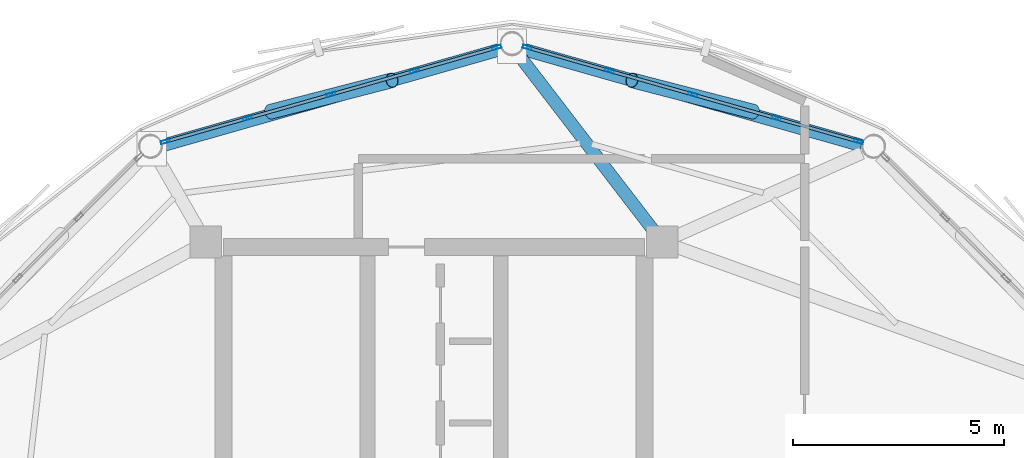
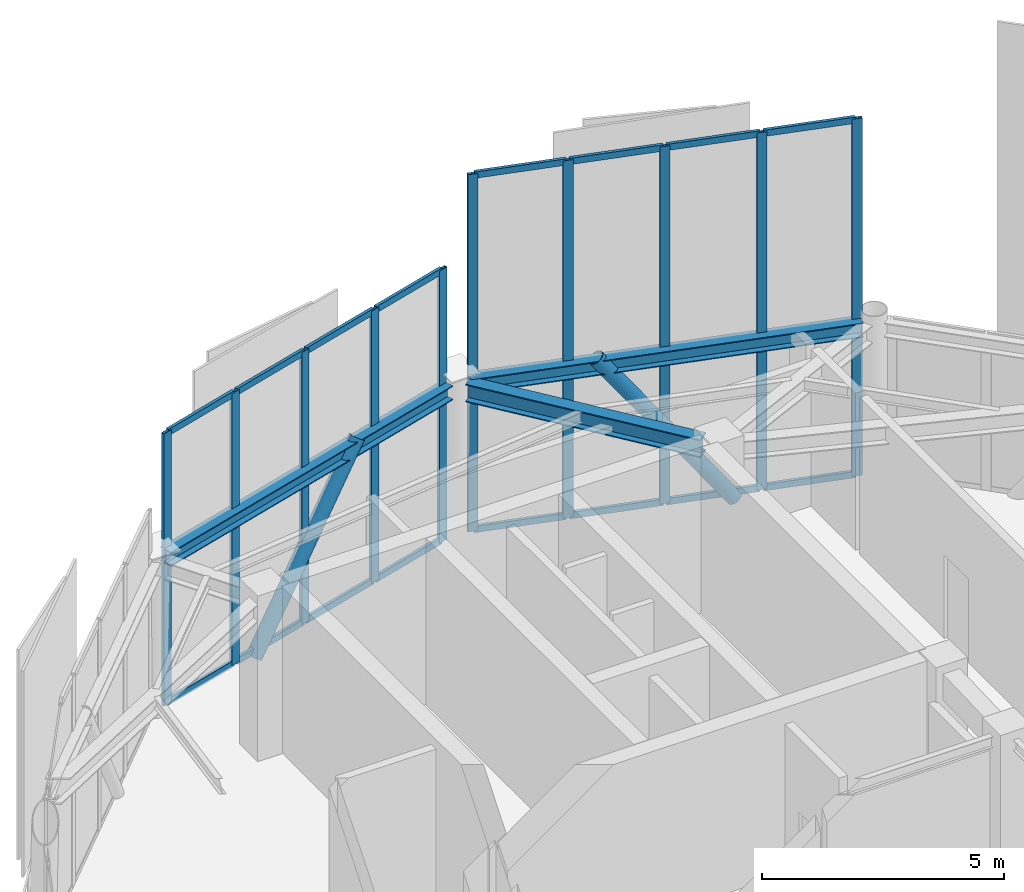
# One storey, part 13 of 20: 28 members, 3 beams, 2 elements without a shape of their own.
"""IFC4 building model written with IfcOpenShell, lengths in metres."""

from ifc_helpers import new_model, si_unit, direction, frame, origin, origin_2d, place, context, subcontext, project, spatial, hollow_rectangle, hollow_circle, i_section, extrude, material, layer, layer_set, material_profile, profile_set, type_object, element, aggregate, save


model = new_model("IFC4")

# Units and contexts
model_context = context("Model", 3, precision=1e-05, world=origin(), true_north=direction((0.0, 1.0)))
body_context = subcontext(model_context, "Body", "Model", "MODEL_VIEW")
ifc_project = project(units=[si_unit("LENGTHUNIT", "METRE"), si_unit("AREAUNIT", "SQUARE_METRE"), si_unit("VOLUMEUNIT", "CUBIC_METRE"), si_unit("PLANEANGLEUNIT", "RADIAN"), si_unit("MASSUNIT", "GRAM", prefix="KILO")], contexts=[model_context])

# Site, building, storey
site_placement = place(None, origin())
site = spatial("IfcSite", under=ifc_project, at=site_placement, CompositionType="ELEMENT")
building_placement = place(site_placement, origin())
building = spatial("IfcBuilding", under=site, at=building_placement, Name="Varnakorn Sky Granary", CompositionType="ELEMENT")
storey_placement = place(building_placement, frame((0.0, 0.0, 310.800048828125)))
storey = spatial("IfcBuildingStorey", under=building, at=storey_placement, Name="L79", CompositionType="ELEMENT", Elevation=310.800048828125)

# Beams
ifc_material_1 = material(Name="Steel S355JR", Category="steel")
ifc_material_profile_1 = material_profile(ifc_material_1, i_section(OverallWidth=0.300048828125, OverallDepth=0.449951171875, WebThickness=0.013916015625, FlangeThickness=0.02587890625, at=origin_2d()), Name="HE 450 B")
ifc_profile_set_1 = profile_set([ifc_material_profile_1], Name="Steel S355JR")
beam_type_1 = type_object("IfcBeamType", Name="BM-RAD-Z5", PredefinedType="BEAM", material=ifc_profile_set_1)
beam_1_placement = place(storey_placement, frame((8.203857421875, 12.901611328125, 3.73486328125), z_axis=(-0.608886924439, 0.793257028489, 0.0), x_axis=(-0.793257028489, -0.608886924439, 0.0)))
element("IfcBeam", 1, at=beam_1_placement, inside=storey, type_object=beam_type_1, Name="Radial Floor Girder RG04 L79", PredefinedType="BEAM", context=body_context, shape_type="SweptSolid", body=[
    extrude(i_section(OverallWidth=0.300048828125, OverallDepth=0.449951171875, WebThickness=0.013916015625, FlangeThickness=0.02587890625, at=origin_2d()), origin(), (0.0, 0.0, 1.0), 5.243896484375),
])
ifc_material_profile_2 = material_profile(ifc_material_1, i_section(OverallWidth=0.300048828125, OverallDepth=0.360107421875, WebThickness=0.012451171875, FlangeThickness=0.0224609375, at=origin_2d()), Name="HE 360 B")
ifc_profile_set_2 = profile_set([ifc_material_profile_2], Name="Steel S355JR")
beam_type_2 = type_object("IfcBeamType", Name="BM-SPD-Z5", PredefinedType="SPANDREL", material=ifc_profile_set_2)
beam_2_placement = place(storey_placement, frame((13.14599609375, 14.91259765625, 3.780029296875), z_axis=(-0.961884569947, 0.273455799168, 0.0), x_axis=(-0.273455799168, -0.961884569947, 0.0)))
element("IfcBeam", 2, at=beam_2_placement, inside=storey, type_object=beam_type_2, Name="Perimeter Spandrel Ring Beam RB03 L79", PredefinedType="SPANDREL", context=body_context, shape_type="SweptSolid", body=[
    extrude(i_section(OverallWidth=0.300048828125, OverallDepth=0.360107421875, WebThickness=0.012451171875, FlangeThickness=0.0224609375, at=origin_2d()), origin(), (0.0, 0.0, 1.0), 8.360107421875),
])
beam_3_placement = place(storey_placement, frame((4.595703125, 17.19873046875, 3.780029296875), z_axis=(-0.96188675359, -0.273448118055, 0.0), x_axis=(0.273448118055, -0.96188675359, 0.0)))
element("IfcBeam", 3, at=beam_3_placement, inside=storey, type_object=beam_type_2, Name="Perimeter Spandrel Ring Beam RB04 L79", PredefinedType="SPANDREL", context=body_context, shape_type="SweptSolid", body=[
    extrude(i_section(OverallWidth=0.300048828125, OverallDepth=0.360107421875, WebThickness=0.012451171875, FlangeThickness=0.0224609375, at=origin_2d()), origin(), (0.0, 0.0, 1.0), 8.3603515625),
])

# Curtain wall, members
ifc_material_2 = material(Name="Anodised Bronze Aluminium Alloy 6063-T6", Category="aluminium")
ifc_layer = layer(ifc_material_2, 0.22998046875, Name="Anodised Bronze Aluminium Alloy 6063-T6")
ifc_layer_set = layer_set([ifc_layer], Name="Anodised Bronze Aluminium Alloy 6063-T6")
curtain_wall_type = type_object("IfcCurtainWallType", Name="CW-LNT-1", PredefinedType="USERDEFINED", material=ifc_layer_set)
curtain_wall_1_placement = place(storey_placement, origin())
curtain_wall_1 = element("IfcCurtainWall", 4, at=curtain_wall_1_placement, inside=storey, type_object=curtain_wall_type, Name="Unitised Curtain Wall CW7 CW-L79-B03", ObjectType="CURTAIN WALL", PredefinedType="USERDEFINED")
ifc_material_profile_3 = material_profile(ifc_material_2, hollow_rectangle(XDim=0.074951171875, YDim=0.219970703125, WallThickness=0.00390625, at=origin_2d()), Name="ALU MULL 75x220")
ifc_profile_set_3 = profile_set([ifc_material_profile_3], Name="Anodised Bronze Aluminium Alloy 6063-T6")
member_type_1 = type_object("IfcMemberType", Name="CW-LNT-1-MULL", PredefinedType="MULLION", material=ifc_profile_set_3)
member_1_placement = place(storey_placement, frame((5.212646484375, 17.239990234375, 0.0), z_axis=(0.0, 0.0, 1.0), x_axis=(0.273207021896, 0.961955260491, 0.0)))
member_1 = element("IfcMember", 5, at=member_1_placement, type_object=member_type_1, Name="CW7 mullion 1", PredefinedType="MULLION", context=body_context, shape_type="SweptSolid", body=[
    extrude(hollow_rectangle(XDim=0.074951171875, YDim=0.219970703125, WallThickness=0.00390625, at=origin_2d()), origin(), (0.0, 0.0, 1.0), 9.0068359375),
])
member_2_placement = place(storey_placement, frame((7.16162109375, 16.6865234375, 0.0), z_axis=(0.0, 0.0, 1.0), x_axis=(0.273207021896, 0.961955260491, 0.0)))
member_2 = element("IfcMember", 6, at=member_2_placement, type_object=member_type_1, Name="CW7 mullion 2", PredefinedType="MULLION", context=body_context, shape_type="SweptSolid", body=[
    extrude(hollow_rectangle(XDim=0.074951171875, YDim=0.219970703125, WallThickness=0.00390625, at=origin_2d()), origin(), (0.0, 0.0, 1.0), 9.0068359375),
])
member_3_placement = place(storey_placement, frame((9.146484375, 16.122802734375, 0.0), z_axis=(0.0, 0.0, 1.0), x_axis=(0.273207021896, 0.961955260491, 0.0)))
member_3 = element("IfcMember", 7, at=member_3_placement, type_object=member_type_1, Name="CW7 mullion 3", PredefinedType="MULLION", context=body_context, shape_type="SweptSolid", body=[
    extrude(hollow_rectangle(XDim=0.074951171875, YDim=0.219970703125, WallThickness=0.00390625, at=origin_2d()), origin(), (0.0, 0.0, 1.0), 9.0068359375),
])
member_4_placement = place(storey_placement, frame((11.13134765625, 15.55908203125, 0.0), z_axis=(0.0, 0.0, 1.0), x_axis=(0.273207021896, 0.961955260491, 0.0)))
member_4 = element("IfcMember", 8, at=member_4_placement, type_object=member_type_1, Name="CW7 mullion 4", PredefinedType="MULLION", context=body_context, shape_type="SweptSolid", body=[
    extrude(hollow_rectangle(XDim=0.074951171875, YDim=0.219970703125, WallThickness=0.00390625, at=origin_2d()), origin(), (0.0, 0.0, 1.0), 9.0068359375),
])
member_5_placement = place(storey_placement, frame((13.080322265625, 15.005615234375, 0.0), z_axis=(0.0, 0.0, 1.0), x_axis=(0.273207021896, 0.961955260491, 0.0)))
member_5 = element("IfcMember", 9, at=member_5_placement, type_object=member_type_1, Name="CW7 mullion 5", PredefinedType="MULLION", context=body_context, shape_type="SweptSolid", body=[
    extrude(hollow_rectangle(XDim=0.074951171875, YDim=0.219970703125, WallThickness=0.00390625, at=origin_2d()), origin(), (0.0, 0.0, 1.0), 9.0068359375),
])

curtain_wall_2_placement = place(storey_placement, origin())
curtain_wall_2 = element("IfcCurtainWall", 10, at=curtain_wall_2_placement, inside=storey, type_object=curtain_wall_type, Name="Unitised Curtain Wall CW7 CW-L79-B04", ObjectType="CURTAIN WALL", PredefinedType="USERDEFINED")
member_6_placement = place(storey_placement, frame((-3.38037109375, 15.005615234375, 0.0), z_axis=(0.0, 0.0, 1.0), x_axis=(-0.273207021896, 0.961955260491, 0.0)))
member_6 = element("IfcMember", 11, at=member_6_placement, type_object=member_type_1, Name="CW7 mullion 1", PredefinedType="MULLION", context=body_context, shape_type="SweptSolid", body=[
    extrude(hollow_rectangle(XDim=0.074951171875, YDim=0.219970703125, WallThickness=0.00390625, at=origin_2d()), origin(), (0.0, 0.0, 1.0), 6.8642578125),
])
member_7_placement = place(storey_placement, frame((-1.431396484375, 15.55908203125, 0.0), z_axis=(0.0, 0.0, 1.0), x_axis=(-0.273207021896, 0.961955260491, 0.0)))
member_7 = element("IfcMember", 12, at=member_7_placement, type_object=member_type_1, Name="CW7 mullion 2", PredefinedType="MULLION", context=body_context, shape_type="SweptSolid", body=[
    extrude(hollow_rectangle(XDim=0.074951171875, YDim=0.219970703125, WallThickness=0.00390625, at=origin_2d()), origin(), (0.0, 0.0, 1.0), 6.8642578125),
])
member_8_placement = place(storey_placement, frame((0.553466796875, 16.122802734375, 0.0), z_axis=(0.0, 0.0, 1.0), x_axis=(-0.273207021896, 0.961955260491, 0.0)))
member_8 = element("IfcMember", 13, at=member_8_placement, type_object=member_type_1, Name="CW7 mullion 3", PredefinedType="MULLION", context=body_context, shape_type="SweptSolid", body=[
    extrude(hollow_rectangle(XDim=0.074951171875, YDim=0.219970703125, WallThickness=0.00390625, at=origin_2d()), origin(), (0.0, 0.0, 1.0), 6.8642578125),
])
member_9_placement = place(storey_placement, frame((2.538330078125, 16.6865234375, 0.0), z_axis=(0.0, 0.0, 1.0), x_axis=(-0.273207021896, 0.961955260491, 0.0)))
member_9 = element("IfcMember", 14, at=member_9_placement, type_object=member_type_1, Name="CW7 mullion 4", PredefinedType="MULLION", context=body_context, shape_type="SweptSolid", body=[
    extrude(hollow_rectangle(XDim=0.074951171875, YDim=0.219970703125, WallThickness=0.00390625, at=origin_2d()), origin(), (0.0, 0.0, 1.0), 6.8642578125),
])
member_10_placement = place(storey_placement, frame((4.4873046875, 17.239990234375, 0.0), z_axis=(0.0, 0.0, 1.0), x_axis=(-0.273207021896, 0.961955260491, 0.0)))
member_10 = element("IfcMember", 15, at=member_10_placement, type_object=member_type_1, Name="CW7 mullion 5", PredefinedType="MULLION", context=body_context, shape_type="SweptSolid", body=[
    extrude(hollow_rectangle(XDim=0.074951171875, YDim=0.219970703125, WallThickness=0.00390625, at=origin_2d()), origin(), (0.0, 0.0, 1.0), 6.8642578125),
])

# Member
ifc_material_profile_4 = material_profile(ifc_material_2, hollow_rectangle(XDim=0.074951171875, YDim=0.159912109375, WallThickness=0.00390625, at=origin_2d()), Name="ALU TRAN 75x160")
ifc_profile_set_4 = profile_set([ifc_material_profile_4], Name="Anodised Bronze Aluminium Alloy 6063-T6")
member_type_2 = type_object("IfcMemberType", Name="CW-LNT-1-TRAN", PredefinedType="USERDEFINED", material=ifc_profile_set_4)
member_11_placement = place(storey_placement, frame((5.248779296875, 17.229736328125, 0.037353515625), z_axis=(0.961961894465, -0.273183662757, 0.0), x_axis=(0.273183662757, 0.961961894465, 0.0)))
member_11 = element("IfcMember", 16, at=member_11_placement, type_object=member_type_2, Name="CW7 transom 1.1", ObjectType="TRANSOM", PredefinedType="USERDEFINED", context=body_context, shape_type="SweptSolid", body=[
    extrude(hollow_rectangle(XDim=0.074951171875, YDim=0.159912109375, WallThickness=0.00390625, at=origin_2d()), origin(), (0.0, 0.0, 1.0), 1.950927734375),
])

member_12_placement = place(storey_placement, frame((5.248779296875, 17.229736328125, 8.96923828125), z_axis=(0.961961894465, -0.273183662757, 0.0), x_axis=(0.273183662757, 0.961961894465, 0.0)))
member_12 = element("IfcMember", 17, at=member_12_placement, type_object=member_type_2, Name="CW7 transom 1.2", ObjectType="TRANSOM", PredefinedType="USERDEFINED", context=body_context, shape_type="SweptSolid", body=[
    extrude(hollow_rectangle(XDim=0.074951171875, YDim=0.159912109375, WallThickness=0.00390625, at=origin_2d()), origin(), (0.0, 0.0, 1.0), 1.950927734375),
])

member_13_placement = place(storey_placement, frame((7.197509765625, 16.67626953125, 0.037353515625), z_axis=(0.961962859849, -0.273180263327, 0.0), x_axis=(0.273180263327, 0.961962859849, 0.0)))
member_13 = element("IfcMember", 18, at=member_13_placement, type_object=member_type_2, Name="CW7 transom 2.1", ObjectType="TRANSOM", PredefinedType="USERDEFINED", context=body_context, shape_type="SweptSolid", body=[
    extrude(hollow_rectangle(XDim=0.074951171875, YDim=0.159912109375, WallThickness=0.00390625, at=origin_2d()), origin(), (0.0, 0.0, 1.0), 1.988525390625),
])

member_14_placement = place(storey_placement, frame((7.197509765625, 16.67626953125, 8.96923828125), z_axis=(0.961962859849, -0.273180263327, 0.0), x_axis=(0.273180263327, 0.961962859849, 0.0)))
member_14 = element("IfcMember", 19, at=member_14_placement, type_object=member_type_2, Name="CW7 transom 2.2", ObjectType="TRANSOM", PredefinedType="USERDEFINED", context=body_context, shape_type="SweptSolid", body=[
    extrude(hollow_rectangle(XDim=0.074951171875, YDim=0.159912109375, WallThickness=0.00390625, at=origin_2d()), origin(), (0.0, 0.0, 1.0), 1.988525390625),
])

member_15_placement = place(storey_placement, frame((9.1826171875, 16.112548828125, 0.037353515625), z_axis=(0.961962859849, -0.273180263327, 0.0), x_axis=(0.273180263327, 0.961962859849, 0.0)))
member_15 = element("IfcMember", 20, at=member_15_placement, type_object=member_type_2, Name="CW7 transom 3.1", ObjectType="TRANSOM", PredefinedType="USERDEFINED", context=body_context, shape_type="SweptSolid", body=[
    extrude(hollow_rectangle(XDim=0.074951171875, YDim=0.159912109375, WallThickness=0.00390625, at=origin_2d()), origin(), (0.0, 0.0, 1.0), 1.988525390625),
])

member_16_placement = place(storey_placement, frame((9.1826171875, 16.112548828125, 8.96923828125), z_axis=(0.961962859849, -0.273180263327, 0.0), x_axis=(0.273180263327, 0.961962859849, 0.0)))
member_16 = element("IfcMember", 21, at=member_16_placement, type_object=member_type_2, Name="CW7 transom 3.2", ObjectType="TRANSOM", PredefinedType="USERDEFINED", context=body_context, shape_type="SweptSolid", body=[
    extrude(hollow_rectangle(XDim=0.074951171875, YDim=0.159912109375, WallThickness=0.00390625, at=origin_2d()), origin(), (0.0, 0.0, 1.0), 1.988525390625),
])

member_17_placement = place(storey_placement, frame((11.16748046875, 15.548828125, 0.037353515625), z_axis=(0.961961894465, -0.273183662757, 0.0), x_axis=(0.273183662757, 0.961961894465, 0.0)))
member_17 = element("IfcMember", 22, at=member_17_placement, type_object=member_type_2, Name="CW7 transom 4.1", ObjectType="TRANSOM", PredefinedType="USERDEFINED", context=body_context, shape_type="SweptSolid", body=[
    extrude(hollow_rectangle(XDim=0.074951171875, YDim=0.159912109375, WallThickness=0.00390625, at=origin_2d()), origin(), (0.0, 0.0, 1.0), 1.950927734375),
])

member_18_placement = place(storey_placement, frame((11.16748046875, 15.548828125, 8.96923828125), z_axis=(0.961961894465, -0.273183662757, 0.0), x_axis=(0.273183662757, 0.961961894465, 0.0)))
member_18 = element("IfcMember", 23, at=member_18_placement, type_object=member_type_2, Name="CW7 transom 4.2", ObjectType="TRANSOM", PredefinedType="USERDEFINED", context=body_context, shape_type="SweptSolid", body=[
    extrude(hollow_rectangle(XDim=0.074951171875, YDim=0.159912109375, WallThickness=0.00390625, at=origin_2d()), origin(), (0.0, 0.0, 1.0), 1.950927734375),
])

aggregate(curtain_wall_1, [member_1, member_2, member_3, member_4, member_5, member_11, member_12, member_13, member_14, member_15, member_16, member_17, member_18])

member_19_placement = place(storey_placement, frame((-3.34423828125, 15.015869140625, 0.037353515625), z_axis=(0.961961894465, 0.273183662757, 0.0), x_axis=(-0.273183662757, 0.961961894465, 0.0)))
member_19 = element("IfcMember", 24, at=member_19_placement, type_object=member_type_2, Name="CW7 transom 1.1", ObjectType="TRANSOM", PredefinedType="USERDEFINED", context=body_context, shape_type="SweptSolid", body=[
    extrude(hollow_rectangle(XDim=0.074951171875, YDim=0.159912109375, WallThickness=0.00390625, at=origin_2d()), origin(), (0.0, 0.0, 1.0), 1.950927734375),
])

member_20_placement = place(storey_placement, frame((-3.34423828125, 15.015869140625, 6.826904296875), z_axis=(0.961961894465, 0.273183662757, 0.0), x_axis=(-0.273183662757, 0.961961894465, 0.0)))
member_20 = element("IfcMember", 25, at=member_20_placement, type_object=member_type_2, Name="CW7 transom 1.2", ObjectType="TRANSOM", PredefinedType="USERDEFINED", context=body_context, shape_type="SweptSolid", body=[
    extrude(hollow_rectangle(XDim=0.074951171875, YDim=0.159912109375, WallThickness=0.00390625, at=origin_2d()), origin(), (0.0, 0.0, 1.0), 1.950927734375),
])

member_21_placement = place(storey_placement, frame((-1.395263671875, 15.5693359375, 0.037353515625), z_axis=(0.961953695642, 0.273212531632, 0.0), x_axis=(-0.273212531632, 0.961953695642, 0.0)))
member_21 = element("IfcMember", 26, at=member_21_placement, type_object=member_type_2, Name="CW7 transom 2.1", ObjectType="TRANSOM", PredefinedType="USERDEFINED", context=body_context, shape_type="SweptSolid", body=[
    extrude(hollow_rectangle(XDim=0.074951171875, YDim=0.159912109375, WallThickness=0.00390625, at=origin_2d()), origin(), (0.0, 0.0, 1.0), 1.98828125),
])

member_22_placement = place(storey_placement, frame((-1.395263671875, 15.5693359375, 6.826904296875), z_axis=(0.961953695642, 0.273212531632, 0.0), x_axis=(-0.273212531632, 0.961953695642, 0.0)))
member_22 = element("IfcMember", 27, at=member_22_placement, type_object=member_type_2, Name="CW7 transom 2.2", ObjectType="TRANSOM", PredefinedType="USERDEFINED", context=body_context, shape_type="SweptSolid", body=[
    extrude(hollow_rectangle(XDim=0.074951171875, YDim=0.159912109375, WallThickness=0.00390625, at=origin_2d()), origin(), (0.0, 0.0, 1.0), 1.98828125),
])

member_23_placement = place(storey_placement, frame((0.589599609375, 16.133056640625, 0.037353515625), z_axis=(0.961962859849, 0.273180263327, 0.0), x_axis=(-0.273180263327, 0.961962859849, 0.0)))
member_23 = element("IfcMember", 28, at=member_23_placement, type_object=member_type_2, Name="CW7 transom 3.1", ObjectType="TRANSOM", PredefinedType="USERDEFINED", context=body_context, shape_type="SweptSolid", body=[
    extrude(hollow_rectangle(XDim=0.074951171875, YDim=0.159912109375, WallThickness=0.00390625, at=origin_2d()), origin(), (0.0, 0.0, 1.0), 1.988525390625),
])

member_24_placement = place(storey_placement, frame((0.589599609375, 16.133056640625, 6.826904296875), z_axis=(0.961962859849, 0.273180263327, 0.0), x_axis=(-0.273180263327, 0.961962859849, 0.0)))
member_24 = element("IfcMember", 29, at=member_24_placement, type_object=member_type_2, Name="CW7 transom 3.2", ObjectType="TRANSOM", PredefinedType="USERDEFINED", context=body_context, shape_type="SweptSolid", body=[
    extrude(hollow_rectangle(XDim=0.074951171875, YDim=0.159912109375, WallThickness=0.00390625, at=origin_2d()), origin(), (0.0, 0.0, 1.0), 1.988525390625),
])

member_25_placement = place(storey_placement, frame((2.574462890625, 16.69677734375, 0.037353515625), z_axis=(0.961961894465, 0.273183662757, 0.0), x_axis=(-0.273183662757, 0.961961894465, 0.0)))
member_25 = element("IfcMember", 30, at=member_25_placement, type_object=member_type_2, Name="CW7 transom 4.1", ObjectType="TRANSOM", PredefinedType="USERDEFINED", context=body_context, shape_type="SweptSolid", body=[
    extrude(hollow_rectangle(XDim=0.074951171875, YDim=0.159912109375, WallThickness=0.00390625, at=origin_2d()), origin(), (0.0, 0.0, 1.0), 1.950927734375),
])

member_26_placement = place(storey_placement, frame((2.574462890625, 16.69677734375, 6.826904296875), z_axis=(0.961961894465, 0.273183662757, 0.0), x_axis=(-0.273183662757, 0.961961894465, 0.0)))
member_26 = element("IfcMember", 31, at=member_26_placement, type_object=member_type_2, Name="CW7 transom 4.2", ObjectType="TRANSOM", PredefinedType="USERDEFINED", context=body_context, shape_type="SweptSolid", body=[
    extrude(hollow_rectangle(XDim=0.074951171875, YDim=0.159912109375, WallThickness=0.00390625, at=origin_2d()), origin(), (0.0, 0.0, 1.0), 1.950927734375),
])

aggregate(curtain_wall_2, [member_6, member_7, member_8, member_9, member_10, member_19, member_20, member_21, member_22, member_23, member_24, member_25, member_26])

# Members
ifc_material_3 = material(Name="Steel S460M", Category="steel")
ifc_material_profile_5 = material_profile(ifc_material_3, hollow_circle(Radius=0.177734375, WallThickness=0.01416015625, at=origin_2d()), Name="CHS 355.6x14")
ifc_profile_set_5 = profile_set([ifc_material_profile_5], Name="Steel S460M")
member_type_3 = type_object("IfcMemberType", Name="MB-DIAG-T5", PredefinedType="BRACE", material=ifc_profile_set_5)
for number, where, z_axis, x_axis, name in (
    (32, (10.57861328125, 15.716064453125, -0.130126953125), (-0.569246727462, 0.147260603796, 0.808871113246), (-0.250449171896, -0.968129749722, 0.0), "Perimeter CHS Diagrid Brace DG03 L79"),
    (33, (-0.878662109375, 15.716064453125, -0.130126953125), (0.569246727462, 0.147260603796, 0.808871113246), (-0.250449171896, 0.968129749722, 0.0), "Perimeter CHS Diagrid Brace DG04 L79"),
):
    element("IfcMember", number, at=place(storey_placement, frame(where, z_axis=z_axis, x_axis=x_axis)), inside=storey, type_object=member_type_3, Name=name, PredefinedType="BRACE", context=body_context, shape_type="SweptSolid", body=[
        extrude(hollow_circle(Radius=0.177734375, WallThickness=0.01416015625, at=origin_2d()), origin(), (0.0, 0.0, 1.0), 5.056640625),
    ])

save(model, "model.ifc")
